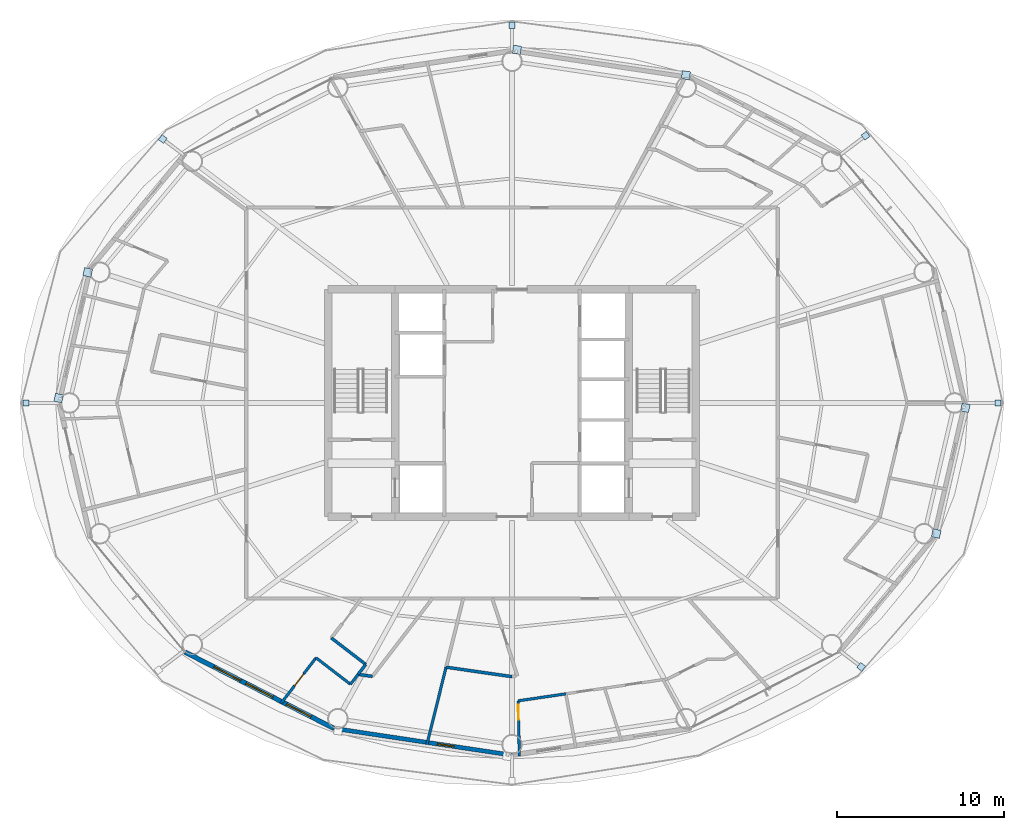
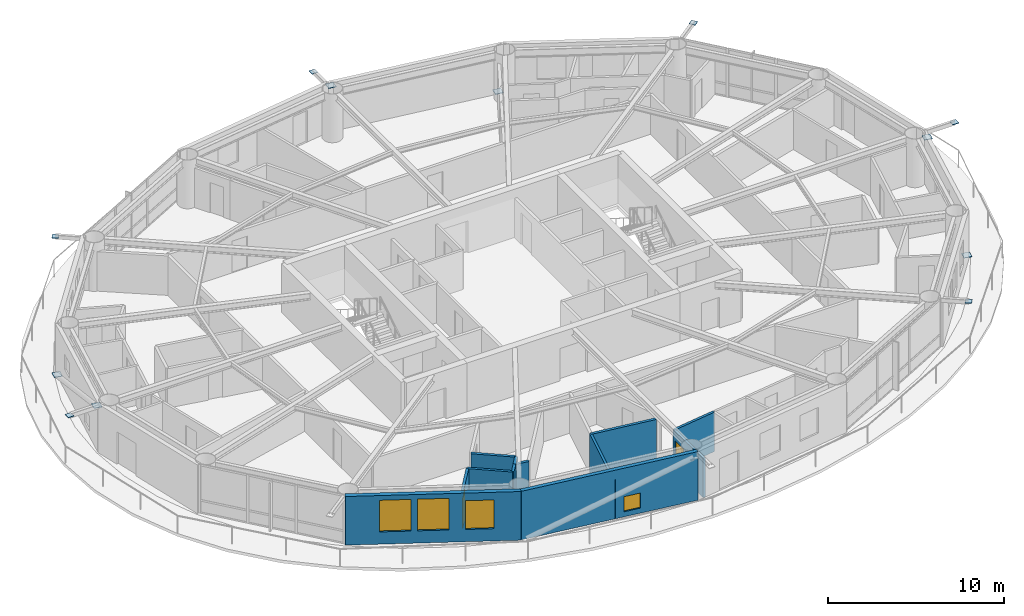
# One storey, part 20 of 28: 12 plates, 12 walls, 4 windows, 2 doors, 6 openings.
"""IFC4 building model written with IfcOpenShell, lengths in metres."""

from ifc_helpers import new_model, si_unit, direction, frame, frame_2d, origin, origin_2d, place, context, subcontext, project, spatial, rectangle, extrude, material, layer, layer_set, type_object, element, fill, save


model = new_model("IFC4")

# Units and contexts
model_context = context("Model", 3, precision=1e-05, world=origin(), true_north=direction((0.0, 1.0)))
body_context = subcontext(model_context, "Body", "Model", "MODEL_VIEW")
ifc_project = project(units=[si_unit("LENGTHUNIT", "METRE"), si_unit("AREAUNIT", "SQUARE_METRE"), si_unit("VOLUMEUNIT", "CUBIC_METRE"), si_unit("PLANEANGLEUNIT", "RADIAN"), si_unit("MASSUNIT", "GRAM", prefix="KILO")], contexts=[model_context])

# Site, building, storey
site_placement = place(None, origin())
site = spatial("IfcSite", under=ifc_project, at=site_placement, CompositionType="ELEMENT")
building_placement = place(site_placement, origin())
building = spatial("IfcBuilding", under=site, at=building_placement, Name="Sarneth Arch Tower", CompositionType="ELEMENT")
storey_placement = place(building_placement, frame((0.0, 0.0, 183.0)))
storey = spatial("IfcBuildingStorey", under=building, at=storey_placement, Name="L46", CompositionType="ELEMENT", Elevation=183.0)

# Plates
ifc_material_1 = material(Name="Steel S355", Category="steel")
ifc_layer_1 = layer(ifc_material_1, 0.035888671875)
ifc_layer_set_1 = layer_set([ifc_layer_1], Name="Steel S355")
plate_type = type_object("IfcPlateType", Name="PLT-GUSSET-30", PredefinedType="SHEET", material=ifc_layer_set_1)
for number, where, z_axis, x_axis, name in (
    (1, (77.08447265625, 42.0, 3.2021484375), (0.0, 0.0, 1.0), (1.0, 0.0, 0.0), "Steel end cap plate GP-1"),
    (2, (69.157470703125, 57.98974609375, 3.2021484375), (0.0, 0.0, 1.0), (0.797794439539, 0.602929541689, 0.0), "Steel end cap plate GP-1"),
):
    element("IfcPlate", number, at=place(storey_placement, frame(where, z_axis=z_axis, x_axis=x_axis)), inside=storey, type_object=plate_type, Name=name, PredefinedType="SHEET", context=body_context, shape_type="SweptSolid", body=[
        extrude(rectangle(XDim=0.3798828125, YDim=0.3798828125, at=origin_2d()), origin(), (0.0, 0.0, 1.0), 0.035888671875),
    ])
for number, where, z_axis, x_axis, name in (
    (3, (58.404296875, 61.612548828125, 0.001953125), (0.0, 0.0, 1.0), (-0.98883454203, 0.149017611339, 0.0), "Steel end cap plate GP-1"),
    (4, (48.296630859375, 63.13525390625, 3.03271484375), (0.0, 0.0, 1.0), (-0.98883454203, 0.149017611339, 0.0), "Steel end cap plate GP-1"),
):
    element("IfcPlate", number, at=place(storey_placement, frame(where, z_axis=z_axis, x_axis=x_axis)), inside=storey, type_object=plate_type, Name=name, PredefinedType="SHEET", context=body_context, shape_type="SweptSolid", body=[
        extrude(rectangle(XDim=0.486083984375, YDim=0.486083984375, at=origin_2d()), origin(), (0.0, 0.0, 1.0), 0.035888671875),
    ])
for number, where, z_axis, x_axis, name in (
    (5, (48.0, 64.6025390625, 3.2021484375), (0.0, 0.0, 1.0), (0.0, 1.0, 0.0), "Steel end cap plate GP-1"),
    (6, (27.100341796875, 57.794921875, 3.2021484375), (0.0, 0.0, 1.0), (-0.797794439539, 0.602929541689, 0.0), "Steel end cap plate GP-1"),
):
    element("IfcPlate", number, at=place(storey_placement, frame(where, z_axis=z_axis, x_axis=x_axis)), inside=storey, type_object=plate_type, Name=name, PredefinedType="SHEET", context=body_context, shape_type="SweptSolid", body=[
        extrude(rectangle(XDim=0.3798828125, YDim=0.3798828125, at=origin_2d()), origin(), (0.0, 0.0, 1.0), 0.035888671875),
    ])
for number, where, z_axis, x_axis, name in (
    (7, (22.609619140625, 49.81298828125, 0.001953125), (0.0, 0.0, 1.0), (-0.225291159947, -0.974291482694, 0.0), "Steel end cap plate GP-1"),
    (8, (20.87109375, 42.292236328125, 3.03271484375), (0.0, 0.0, 1.0), (-0.225291159947, -0.974291482694, 0.0), "Steel end cap plate GP-1"),
):
    element("IfcPlate", number, at=place(storey_placement, frame(where, z_axis=z_axis, x_axis=x_axis)), inside=storey, type_object=plate_type, Name=name, PredefinedType="SHEET", context=body_context, shape_type="SweptSolid", body=[
        extrude(rectangle(XDim=0.486083984375, YDim=0.486083984375, at=origin_2d()), origin(), (0.0, 0.0, 1.0), 0.035888671875),
    ])
for number, where, z_axis, x_axis, name in (
    (9, (18.91552734375, 42.0, 3.2021484375), (0.0, 0.0, 1.0), (-1.0, 0.0, 0.0), "Steel end cap plate GP-1"),
    (10, (68.899658203125, 26.205078125, 3.2021484375), (0.0, 0.0, 1.0), (0.797794439539, -0.602929541689, 0.0), "Steel end cap plate GP-1"),
):
    element("IfcPlate", number, at=place(storey_placement, frame(where, z_axis=z_axis, x_axis=x_axis)), inside=storey, type_object=plate_type, Name=name, PredefinedType="SHEET", context=body_context, shape_type="SweptSolid", body=[
        extrude(rectangle(XDim=0.3798828125, YDim=0.3798828125, at=origin_2d()), origin(), (0.0, 0.0, 1.0), 0.035888671875),
    ])
for number, where, z_axis, x_axis, name in (
    (11, (73.390380859375, 34.18701171875, 0.001953125), (0.0, 0.0, 1.0), (0.225291159947, 0.974291482694, 0.0), "Steel end cap plate GP-1"),
    (12, (75.12890625, 41.707763671875, 3.03271484375), (0.0, 0.0, 1.0), (0.225291159947, 0.974291482694, 0.0), "Steel end cap plate GP-1"),
):
    element("IfcPlate", number, at=place(storey_placement, frame(where, z_axis=z_axis, x_axis=x_axis)), inside=storey, type_object=plate_type, Name=name, PredefinedType="SHEET", context=body_context, shape_type="SweptSolid", body=[
        extrude(rectangle(XDim=0.486083984375, YDim=0.486083984375, at=origin_2d()), origin(), (0.0, 0.0, 1.0), 0.035888671875),
    ])

# Wall, opening, window
ifc_material_2 = material(Name="Extruded terracotta rainscreen on Concrete C40/50 backing", Category="masonry")
ifc_layer_2 = layer(ifc_material_2, 0.25)
ifc_layer_set_2 = layer_set([ifc_layer_2], Name="Extruded terracotta rainscreen on Concrete C40/50 backing")
wall_type_1 = type_object("IfcWallType", Name="WALL-EXT-SPAND-250", PredefinedType="SOLIDWALL", material=ifc_layer_set_2)
wall_1_placement = place(storey_placement, frame((37.337158203125, 22.524658203125, 0.0), z_axis=(0.0, 0.0, 1.0), x_axis=(0.988863993413, -0.148822049884, 0.0)))
wall_1 = element("IfcWall", 13, at=wall_1_placement, inside=storey, type_object=wall_type_1, Name="L46 Terracotta perimeter wall 12", PredefinedType="SOLIDWALL", context=body_context, shape_type="SweptSolid", body=[
    extrude(rectangle(XDim=10.782958984375, YDim=0.25, at=frame_2d((5.3916015625, 0.0))), origin(), (0.0, 0.0, 1.0), 3.3798828125),
])
opening_1_placement = place(wall_1_placement, frame((6.2763671875, 0.0, 0.35009765625)))
opening_1 = element("IfcOpeningElement", 14, at=opening_1_placement, cuts=wall_1, Name="Opening W-14", PredefinedType="OPENING", context=body_context, shape_type="SweptSolid", body=[
    extrude(rectangle(XDim=1.0, YDim=1.050048828125, at=frame_2d((0.5, 0.52490234375))), frame((0.0, 0.135009765625, 0.0), z_axis=(0.0, -1.0, 0.0), x_axis=(1.0, 0.0, 0.0)), (0.0, 0.0, 1.0), 0.27001953125),
])
ifc_material_3 = material(Name="Thermally broken Aluminium 6063-T6 and low-e laminated IGU", Category="aluminium")
window_type_1 = type_object("IfcWindowType", Name="WIN-TWR-1000x1050", PartitioningType="SINGLE_PANEL", PredefinedType="WINDOW", material=ifc_material_3)
window_1_placement = place(opening_1_placement, origin())
window_1 = element("IfcWindow", 15, at=window_1_placement, inside=storey, type_object=window_type_1, Name="L46 Dwelling bedroom window 03", OverallHeight=1.050048828125, OverallWidth=1.0, PartitioningType="SINGLE_PANEL", PredefinedType="WINDOW", context=body_context, shape_type="SweptSolid", body=[
    extrude(rectangle(XDim=1.0, YDim=1.050048828125, at=frame_2d((0.5, 0.52490234375))), frame((0.0, 0.030029296875, 0.0), z_axis=(0.0, -1.0, 0.0), x_axis=(1.0, 0.0, 0.0)), (0.0, 0.0, 1.0), 0.06005859375),
])
fill(opening_1, window_1)

# Wall, openings, windows
ifc_material_4 = material(Name="Extruded terracotta rainscreen on Concrete C40/50 backing", Category="masonry")
ifc_layer_3 = layer(ifc_material_4, 0.280029296875)
ifc_layer_set_3 = layer_set([ifc_layer_3], Name="Extruded terracotta rainscreen on Concrete C40/50 backing")
wall_type_2 = type_object("IfcWallType", Name="WALL-EXT-TERRA-280", PredefinedType="SOLIDWALL", material=ifc_layer_set_3)
wall_2_placement = place(storey_placement, frame((28.423828125, 27.09423828125, 0.0), z_axis=(0.0, 0.0, 1.0), x_axis=(0.889872523182, -0.456209263919, 0.0)))
wall_2 = element("IfcWall", 16, at=wall_2_placement, inside=storey, type_object=wall_type_2, Name="L46 Terracotta perimeter wall 11", PredefinedType="SOLIDWALL", context=body_context, shape_type="SweptSolid", body=[
    extrude(rectangle(XDim=10.016357421875, YDim=0.280029296875, at=frame_2d((5.00830078125, 0.0))), origin(), (0.0, 0.0, 1.0), 3.3798828125),
])
opening_2_placement = place(wall_2_placement, frame((1.94970703125, 0.0, 0.85009765625)))
opening_2 = element("IfcOpeningElement", 17, at=opening_2_placement, cuts=wall_2, Name="Opening W-04", PredefinedType="OPENING", context=body_context, shape_type="SweptSolid", body=[
    extrude(rectangle(XDim=1.800048828125, YDim=2.199951171875, at=frame_2d((0.89990234375, 1.10009765625))), frame((0.0, 0.14990234375, 0.0), z_axis=(0.0, -1.0, 0.0), x_axis=(1.0, 0.0, 0.0)), (0.0, 0.0, 1.0), 0.300048828125),
])
opening_3_placement = place(wall_2_placement, frame((4.108642578125, 0.0, 0.85009765625)))
opening_3 = element("IfcOpeningElement", 18, at=opening_3_placement, cuts=wall_2, Name="Opening W-04", PredefinedType="OPENING", context=body_context, shape_type="SweptSolid", body=[
    extrude(rectangle(XDim=1.800048828125, YDim=2.199951171875, at=frame_2d((0.89990234375, 1.10009765625))), frame((0.0, 0.14990234375, 0.0), z_axis=(0.0, -1.0, 0.0), x_axis=(1.0, 0.0, 0.0)), (0.0, 0.0, 1.0), 0.300048828125),
])
opening_4_placement = place(wall_2_placement, frame((6.841552734375, 0.0, 0.85009765625)))
opening_4 = element("IfcOpeningElement", 19, at=opening_4_placement, cuts=wall_2, Name="Opening W-05", PredefinedType="OPENING", context=body_context, shape_type="SweptSolid", body=[
    extrude(rectangle(XDim=1.64990234375, YDim=2.0, at=frame_2d((0.824951171875, 1.0))), frame((0.0, 0.14990234375, 0.0), z_axis=(0.0, -1.0, 0.0), x_axis=(1.0, 0.0, 0.0)), (0.0, 0.0, 1.0), 0.300048828125),
])
ifc_material_5 = material(Name="Thermally broken Aluminium 6063-T6 and low-e laminated IGU", Category="aluminium")
window_type_2 = type_object("IfcWindowType", Name="WIN-TWR-1650x2000", PartitioningType="DOUBLE_PANEL_VERTICAL", PredefinedType="WINDOW", material=ifc_material_5)
window_2_placement = place(opening_4_placement, origin())
window_2 = element("IfcWindow", 20, at=window_2_placement, inside=storey, type_object=window_type_2, Name="L46 Exterior window 11C", OverallHeight=2.0, OverallWidth=1.64990234375, PartitioningType="SINGLE_PANEL", PredefinedType="WINDOW", context=body_context, shape_type="SweptSolid", body=[
    extrude(rectangle(XDim=1.64990234375, YDim=2.0, at=frame_2d((0.824951171875, 1.0))), frame((0.0, 0.030029296875, 0.0), z_axis=(0.0, -1.0, 0.0), x_axis=(1.0, 0.0, 0.0)), (0.0, 0.0, 1.0), 0.06005859375),
])
fill(opening_4, window_2)
ifc_material_6 = material(Name="Thermally broken Aluminium 6063-T6 and low-e laminated IGU", Category="aluminium")
window_type_3 = type_object("IfcWindowType", Name="WIN-TWR-1800x2200", PartitioningType="DOUBLE_PANEL_VERTICAL", PredefinedType="WINDOW", material=ifc_material_6)
window_3_placement = place(opening_2_placement, origin())
window_3 = element("IfcWindow", 21, at=window_3_placement, inside=storey, type_object=window_type_3, Name="L46 Exterior window 11A", OverallHeight=2.199951171875, OverallWidth=1.800048828125, PartitioningType="SINGLE_PANEL", PredefinedType="WINDOW", context=body_context, shape_type="SweptSolid", body=[
    extrude(rectangle(XDim=1.800048828125, YDim=2.199951171875, at=frame_2d((0.89990234375, 1.10009765625))), frame((0.0, 0.030029296875, 0.0), z_axis=(0.0, -1.0, 0.0), x_axis=(1.0, 0.0, 0.0)), (0.0, 0.0, 1.0), 0.06005859375),
])
fill(opening_2, window_3)
window_4_placement = place(opening_3_placement, origin())
window_4 = element("IfcWindow", 22, at=window_4_placement, inside=storey, type_object=window_type_3, Name="L46 Exterior window 11B", OverallHeight=2.199951171875, OverallWidth=1.800048828125, PartitioningType="SINGLE_PANEL", PredefinedType="WINDOW", context=body_context, shape_type="SweptSolid", body=[
    extrude(rectangle(XDim=1.800048828125, YDim=2.199951171875, at=frame_2d((0.89990234375, 1.10009765625))), frame((0.0, 0.030029296875, 0.0), z_axis=(0.0, -1.0, 0.0), x_axis=(1.0, 0.0, 0.0)), (0.0, 0.0, 1.0), 0.06005859375),
])
fill(opening_3, window_4)

# Wall
ifc_material_7 = material(Name="Kitchen wet service chase wall", Category="gypsum")
ifc_layer_4 = layer(ifc_material_7, 0.159912109375)
ifc_layer_set_4 = layer_set([ifc_layer_4], Name="Kitchen wet service chase wall")
wall_type_3 = type_object("IfcWallType", Name="WALL-PLUMB-160", PredefinedType="PLUMBINGWALL", material=ifc_layer_set_4)
wall_3_placement = place(storey_placement, frame((42.9052734375, 21.56591796875, 0.0), z_axis=(0.0, 0.0, 1.0), x_axis=(0.24192039409, 0.970296100643, 0.0)))
element("IfcWall", 23, at=wall_3_placement, inside=storey, type_object=wall_type_3, Name="L46 Interior partition W-L46-TP-070", PredefinedType="PLUMBINGWALL", context=body_context, shape_type="SweptSolid", body=[
    extrude(rectangle(XDim=4.76220703125, YDim=0.159912109375, at=frame_2d((2.381103515625, 0.0))), origin(), (0.0, 0.0, 1.0), 2.739990234375),
])

# Wall, opening, door
wall_4_placement = place(storey_placement, frame((34.170166015625, 24.015625, 0.0), z_axis=(0.0, 0.0, 1.0), x_axis=(0.609597828201, 0.792710847568, 0.0)))
wall_4 = element("IfcWall", 24, at=wall_4_placement, inside=storey, type_object=wall_type_3, Name="L46 Interior partition W-L46-TP-065", PredefinedType="PLUMBINGWALL", context=body_context, shape_type="SweptSolid", body=[
    extrude(rectangle(XDim=3.44775390625, YDim=0.159912109375, at=frame_2d((1.723876953125, 0.0))), origin(), (0.0, 0.0, 1.0), 2.739990234375),
])
opening_5_placement = place(wall_4_placement, frame((1.333984375, 0.0, 0.0)))
opening_5 = element("IfcOpeningElement", 25, at=opening_5_placement, cuts=wall_4, Name="Opening ID-01", PredefinedType="OPENING", context=body_context, shape_type="SweptSolid", body=[
    extrude(rectangle(XDim=0.89990234375, YDim=2.10009765625, at=frame_2d((0.449951171875, 1.050048828125))), frame((0.0, 0.08984375, 0.0), z_axis=(0.0, -1.0, 0.0), x_axis=(1.0, 0.0, 0.0)), (0.0, 0.0, 1.0), 0.179931640625),
])
ifc_material_8 = material(Name="Engineered hardwood flush door", Category="wood")
door_type = type_object("IfcDoorType", Name="DR-INT-900", OperationType="SINGLE_SWING_LEFT", PredefinedType="DOOR", material=ifc_material_8)
door_1_placement = place(opening_5_placement, origin())
door_1 = element("IfcDoor", 26, at=door_1_placement, inside=storey, type_object=door_type, Name="L46 Interior door DR-L46-U5-KIT", OperationType="SINGLE_SWING_LEFT", OverallHeight=2.10009765625, OverallWidth=0.89990234375, PredefinedType="DOOR", context=body_context, shape_type="SweptSolid", body=[
    extrude(rectangle(XDim=0.89990234375, YDim=2.10009765625, at=frame_2d((0.449951171875, 1.050048828125))), frame((0.0, 0.02490234375, 0.0), z_axis=(0.0, -1.0, 0.0), x_axis=(1.0, 0.0, 0.0)), (0.0, 0.0, 1.0), 0.050048828125),
])
fill(opening_5, door_1)

wall_5_placement = place(storey_placement, frame((48.439208984375, 20.86572265625, 0.0), z_axis=(0.0, 0.0, 1.0), x_axis=(-0.020804233052, 0.999783568522, 0.0)))
wall_5 = element("IfcWall", 27, at=wall_5_placement, inside=storey, type_object=wall_type_3, Name="L46 Interior partition W-L46-TP-072", PredefinedType="PLUMBINGWALL", context=body_context, shape_type="SweptSolid", body=[
    extrude(rectangle(XDim=3.309326171875, YDim=0.159912109375, at=frame_2d((1.65478515625, 0.0))), origin(), (0.0, 0.0, 1.0), 2.739990234375),
])
opening_6_placement = place(wall_5_placement, frame((2.16455078125, 0.0, 0.0)))
opening_6 = element("IfcOpeningElement", 28, at=opening_6_placement, cuts=wall_5, Name="Opening ID-01", PredefinedType="OPENING", context=body_context, shape_type="SweptSolid", body=[
    extrude(rectangle(XDim=0.89990234375, YDim=2.10009765625, at=frame_2d((0.449951171875, 1.050048828125))), frame((0.0, 0.08984375, 0.0), z_axis=(0.0, -1.0, 0.0), x_axis=(1.0, 0.0, 0.0)), (0.0, 0.0, 1.0), 0.179931640625),
])
door_2_placement = place(opening_6_placement, origin())
door_2 = element("IfcDoor", 29, at=door_2_placement, inside=storey, type_object=door_type, Name="L46 Interior door DR-L46-U6-KIT", OperationType="SINGLE_SWING_RIGHT", OverallHeight=2.10009765625, OverallWidth=0.89990234375, PredefinedType="DOOR", context=body_context, shape_type="SweptSolid", body=[
    extrude(rectangle(XDim=0.89990234375, YDim=2.10009765625, at=frame_2d((0.449951171875, 1.050048828125))), frame((0.0, 0.02490234375, 0.0), z_axis=(0.0, -1.0, 0.0), x_axis=(1.0, 0.0, 0.0)), (0.0, 0.0, 1.0), 0.050048828125),
])
fill(opening_6, door_2)

# Walls
wall_6_placement = place(storey_placement, frame((48.370361328125, 24.17431640625, 0.0), z_axis=(0.0, 0.0, 1.0), x_axis=(0.98947822579, 0.144681860256, 0.0)))
element("IfcWall", 30, at=wall_6_placement, inside=storey, type_object=wall_type_3, Name="L46 Interior partition W-L46-TP-073", PredefinedType="PLUMBINGWALL", context=body_context, shape_type="SweptSolid", body=[
    extrude(rectangle(XDim=2.882080078125, YDim=0.159912109375, at=frame_2d((1.44091796875, 0.0))), origin(), (0.0, 0.0, 1.0), 2.739990234375),
])
wall_7_placement = place(storey_placement, frame((36.27197265625, 26.748779296875, 0.0), z_axis=(0.0, 0.0, 1.0), x_axis=(0.792742649864, -0.609556470794, 0.0)))
element("IfcWall", 31, at=wall_7_placement, inside=storey, type_object=wall_type_3, Name="L46 Interior partition W-L46-TP-066", PredefinedType="PLUMBINGWALL", context=body_context, shape_type="SweptSolid", body=[
    extrude(rectangle(XDim=2.60009765625, YDim=0.159912109375, at=frame_2d((1.300048828125, 0.0))), origin(), (0.0, 0.0, 1.0), 2.739990234375),
])
wall_8_placement = place(storey_placement, frame((38.333251953125, 25.163818359375, 0.0), z_axis=(0.0, 0.0, 1.0), x_axis=(0.609695029381, 0.792636089986, 0.0)))
element("IfcWall", 32, at=wall_8_placement, inside=storey, type_object=wall_type_3, Name="L46 Interior partition W-L46-TP-067", PredefinedType="PLUMBINGWALL", context=body_context, shape_type="SweptSolid", body=[
    extrude(rectangle(XDim=0.75, YDim=0.159912109375, at=frame_2d((0.375, 0.0))), origin(), (0.0, 0.0, 1.0), 2.739990234375),
])
ifc_material_9 = material(Name="Moisture-resistant plumbing chase wall", Category="gypsum")
ifc_layer_5 = layer(ifc_material_9, 0.179931640625)
ifc_layer_set_5 = layer_set([ifc_layer_5], Name="Moisture-resistant plumbing chase wall")
wall_type_4 = type_object("IfcWallType", Name="WALL-PLUMB-180", PredefinedType="PLUMBINGWALL", material=ifc_layer_set_5)
wall_9_placement = place(storey_placement, frame((48.0, 25.6201171875, 0.0), z_axis=(0.0, 0.0, 1.0), x_axis=(-0.989829001183, 0.14226225226, 0.0)))
element("IfcWall", 33, at=wall_9_placement, inside=storey, type_object=wall_type_4, Name="L46 Interior partition W-L46-TP-076", PredefinedType="PLUMBINGWALL", context=body_context, shape_type="SweptSolid", body=[
    extrude(rectangle(XDim=3.983154296875, YDim=0.179931640625, at=frame_2d((1.99169921875, 0.0))), origin(), (0.0, 0.0, 1.0), 2.739990234375),
])
wall_10_placement = place(storey_placement, frame((39.247802734375, 26.352783203125, 0.0), z_axis=(0.0, 0.0, 1.0), x_axis=(-0.792732166763, 0.609570104073, 0.0)))
element("IfcWall", 34, at=wall_10_placement, inside=storey, type_object=wall_type_4, Name="L46 Interior partition W-L46-TP-063", PredefinedType="PLUMBINGWALL", context=body_context, shape_type="SweptSolid", body=[
    extrude(rectangle(XDim=2.6005859375, YDim=0.179931640625, at=frame_2d((1.30029296875, 0.0))), origin(), (0.0, 0.0, 1.0), 2.739990234375),
])
wall_11_placement = place(storey_placement, frame((38.79052734375, 25.75830078125, 0.0), z_axis=(0.0, 0.0, 1.0), x_axis=(0.989584977247, -0.143949896861, 0.0)))
element("IfcWall", 35, at=wall_11_placement, inside=storey, type_object=wall_type_4, Name="L46 Interior partition W-L46-TP-068", PredefinedType="PLUMBINGWALL", context=body_context, shape_type="SweptSolid", body=[
    extrude(rectangle(XDim=0.864990234375, YDim=0.179931640625, at=frame_2d((0.4326171875, 0.0))), origin(), (0.0, 0.0, 1.0), 2.739990234375),
])
wall_12_placement = place(storey_placement, frame((38.79052734375, 25.75830078125, 0.0), z_axis=(0.0, 0.0, 1.0), x_axis=(0.609695029381, 0.792636089986, 0.0)))
element("IfcWall", 36, at=wall_12_placement, inside=storey, type_object=wall_type_4, Name="L46 Interior partition W-L46-TP-062", PredefinedType="PLUMBINGWALL", context=body_context, shape_type="SweptSolid", body=[
    extrude(rectangle(XDim=0.75, YDim=0.179931640625, at=frame_2d((0.375, 0.0))), origin(), (0.0, 0.0, 1.0), 2.739990234375),
])

save(model, "model.ifc")
